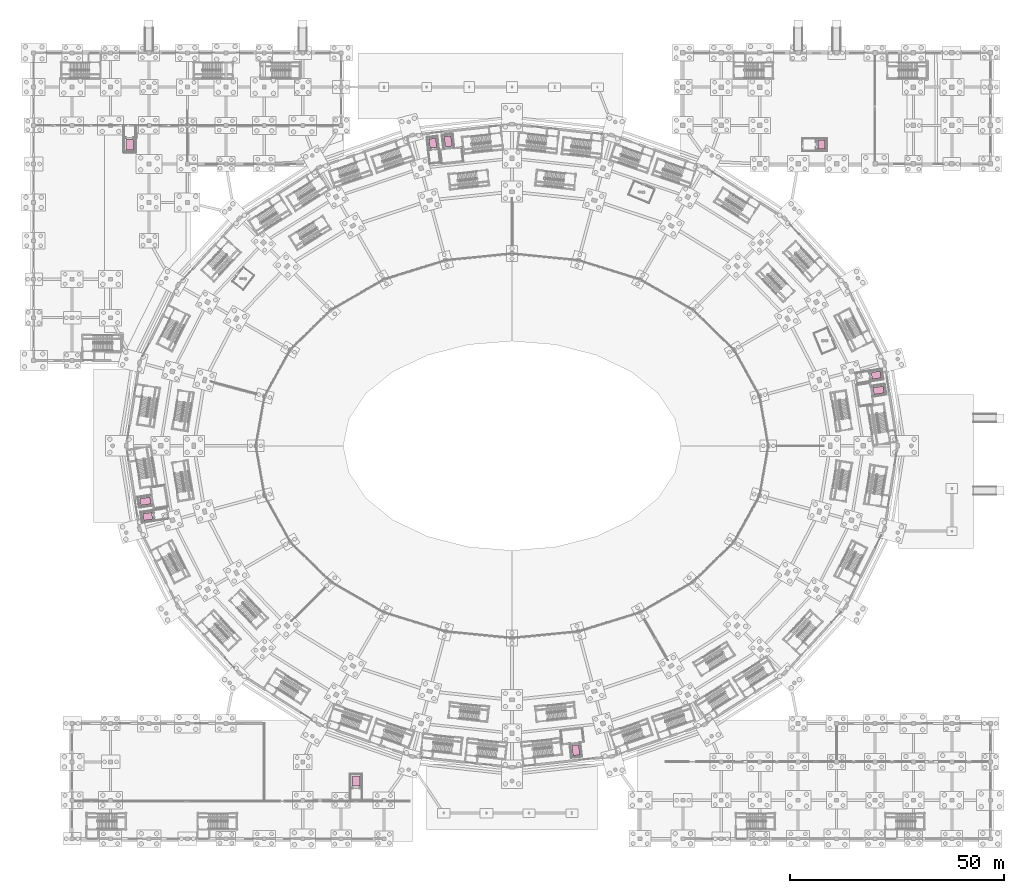
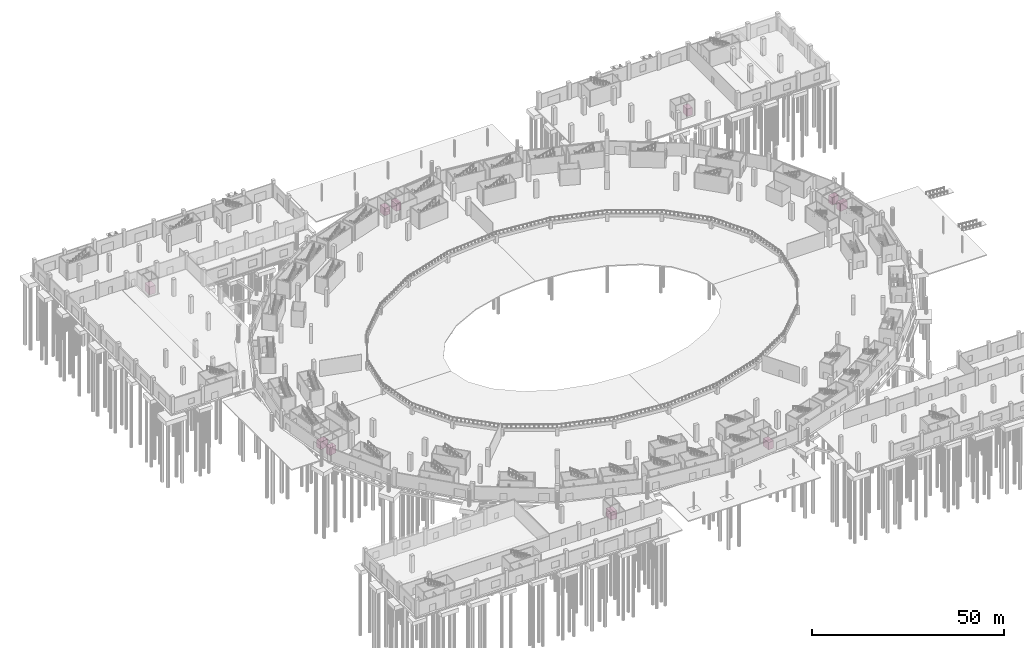
# One storey, part 103 of 103: 10 transport elements.
"""IFC4 building model written with IfcOpenShell, lengths in metres."""

from ifc_helpers import new_model, si_unit, direction, frame, origin, origin_2d, place, context, subcontext, project, spatial, rectangle, extrude, material, type_object, element, save


model = new_model("IFC4")

# Units and contexts
model_context = context("Model", 3, precision=1e-05, world=origin(), true_north=direction((0.0, 1.0)))
body_context = subcontext(model_context, "Body", "Model", "MODEL_VIEW")
ifc_project = project(units=[si_unit("LENGTHUNIT", "METRE"), si_unit("AREAUNIT", "SQUARE_METRE"), si_unit("VOLUMEUNIT", "CUBIC_METRE"), si_unit("PLANEANGLEUNIT", "RADIAN"), si_unit("MASSUNIT", "GRAM", prefix="KILO")], contexts=[model_context])

# Site, building, storey
site_placement = place(None, origin())
site = spatial("IfcSite", under=ifc_project, at=site_placement, CompositionType="ELEMENT")
building_placement = place(site_placement, origin())
building = spatial("IfcBuilding", under=site, at=building_placement, Name="Zevraka Park Crest Stadium", CompositionType="ELEMENT")
storey_placement = place(building_placement, origin())
storey = spatial("IfcBuildingStorey", under=building, at=storey_placement, Name="L00", CompositionType="ELEMENT", Elevation=0.0)

# Transport elements
ifc_material_1 = material(Name="Stainless steel elevator cab assembly", Category="steel")
transport_element_type_1 = type_object("IfcTransportElementType", Name="LFFF", PredefinedType="ELEVATOR", material=ifc_material_1)
for number, where, z_axis, x_axis, name in (
    (1, (197.837890625, 104.989013671875, 0.0), (0.0, 0.0, 1.0), (-0.156786118753, 0.987632579944, 0.0), "Firefighting Lift FL01"),
    (2, (97.0458984375, 163.26708984375, 0.0), (0.0, 0.0, 1.0), (-0.994091248534, -0.108547637412, 0.0), "Firefighting Lift FL02"),
    (3, (26.162109375, 79.010986328125, 0.0), (0.0, 0.0, 1.0), (0.156786118753, -0.987632579944, 0.0), "Firefighting Lift FL03"),
    (4, (126.9541015625, 20.73291015625, 0.0), (0.0, 0.0, 1.0), (0.994091248534, 0.108547637412, 0.0), "Firefighting Lift FL04"),
):
    element("IfcTransportElement", number, at=place(storey_placement, frame(where, z_axis=z_axis, x_axis=x_axis)), inside=storey, type_object=transport_element_type_1, Name=name, PredefinedType="ELEVATOR", context=body_context, shape_type="SweptSolid", body=[
        extrude(rectangle(XDim=1.60009765625, YDim=2.39990234375, at=origin_2d()), origin(), (0.0, 0.0, 1.0), 2.39990234375),
    ])
ifc_material_2 = material(Name="Stainless steel elevator cab assembly", Category="steel")
transport_element_type_2 = type_object("IfcTransportElementType", Name="LFGDS", PredefinedType="ELEVATOR", material=ifc_material_2)
for number, where, z_axis, x_axis, name in (
    (5, (22.5, 162.5, 0.0), (0.0, 0.0, 1.0), (1.0, 0.0, 0.0), "Goods Lift GL01"),
    (6, (75.5, 13.5, 0.0), (0.0, 0.0, 1.0), (1.0, 0.0, 0.0), "Goods Lift GL02"),
):
    element("IfcTransportElement", number, at=place(storey_placement, frame(where, z_axis=z_axis, x_axis=x_axis)), inside=storey, type_object=transport_element_type_2, Name=name, PredefinedType="ELEVATOR", context=body_context, shape_type="SweptSolid", body=[
        extrude(rectangle(XDim=1.800048828125, YDim=2.39990234375, at=origin_2d()), origin(), (0.0, 0.0, 1.0), 2.5),
    ])
ifc_material_3 = material(Name="Stainless steel elevator cab assembly", Category="steel")
transport_element_type_3 = type_object("IfcTransportElementType", Name="LFPAX", PredefinedType="ELEVATOR", material=ifc_material_3)
for number, where, z_axis, x_axis, name in (
    (7, (197.27294921875, 108.544921875, 0.0), (0.0, 0.0, 1.0), (-0.156786118753, 0.987632579944, 0.0), "Passenger Lift PL01"),
    (8, (93.468017578125, 162.8759765625, 0.0), (0.0, 0.0, 1.0), (-0.994091248534, -0.108547637412, 0.0), "Passenger Lift PL02"),
    (9, (26.72705078125, 75.455078125, 0.0), (0.0, 0.0, 1.0), (0.156786118753, -0.987632579944, 0.0), "Passenger Lift PL03"),
    (10, (184.5, 162.5, 0.0), (0.0, 0.0, 1.0), (1.0, 0.0, 0.0), "Passenger Lift PL04"),
):
    element("IfcTransportElement", number, at=place(storey_placement, frame(where, z_axis=z_axis, x_axis=x_axis)), inside=storey, type_object=transport_element_type_3, Name=name, PredefinedType="ELEVATOR", context=body_context, shape_type="SweptSolid", body=[
        extrude(rectangle(XDim=1.60009765625, YDim=2.10009765625, at=origin_2d()), origin(), (0.0, 0.0, 1.0), 2.39990234375),
    ])

save(model, "model.ifc")
